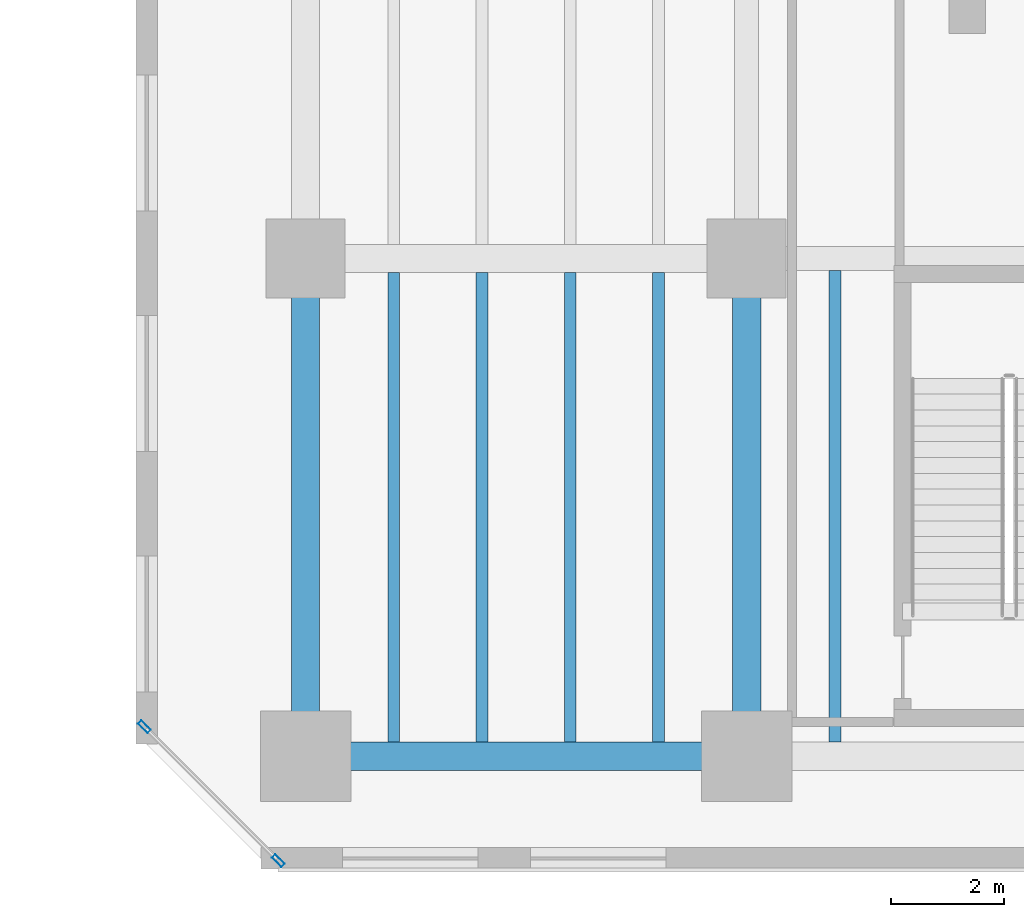
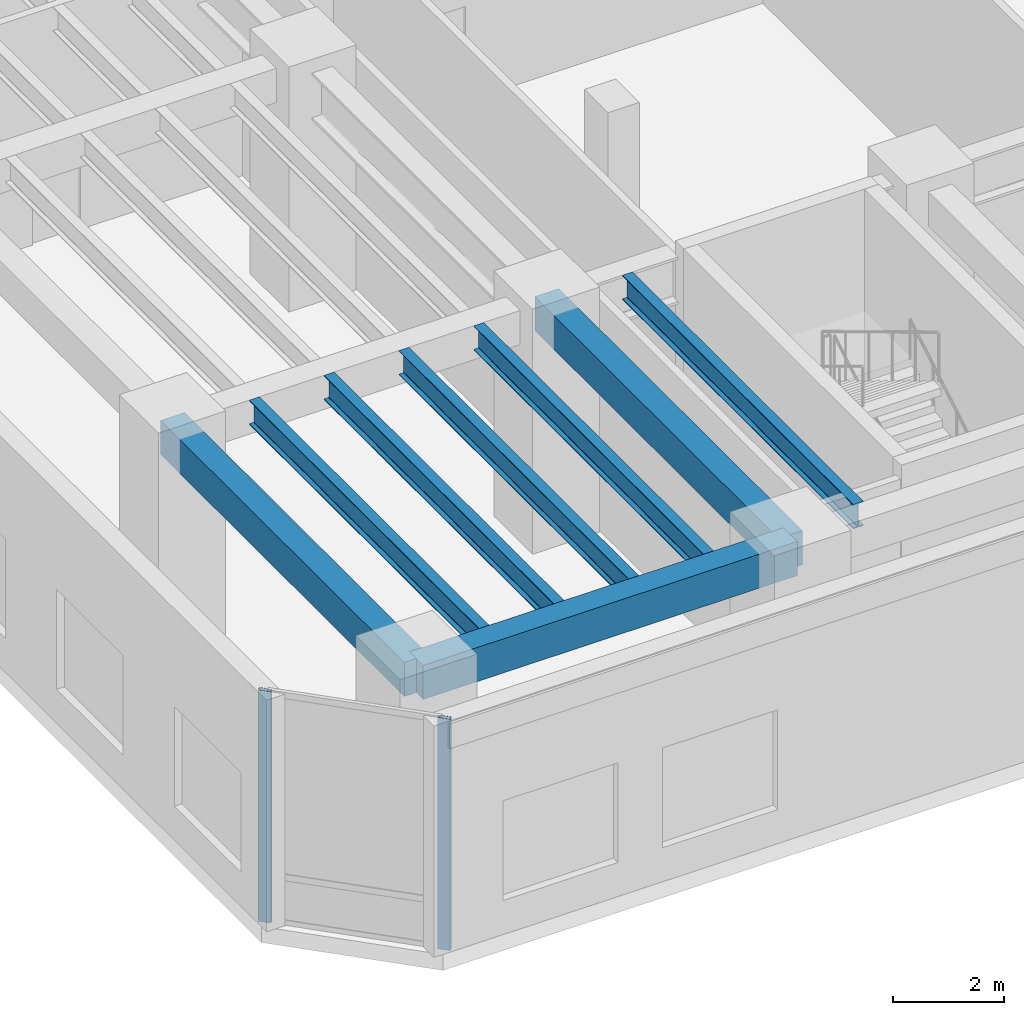
# One storey, part 2 of 21: 8 beams, 2 members, 1 element without a shape of its own.
"""IFC4 building model written with IfcOpenShell, lengths in metres."""

from ifc_helpers import new_model, si_unit, direction, frame, origin, origin_2d, place, context, subcontext, project, spatial, rectangle, hollow_rectangle, i_section, extrude, material, layer, layer_set, material_profile, profile_set, type_object, element, aggregate, save


model = new_model("IFC4")

# Units and contexts
model_context = context("Model", 3, precision=1e-05, world=origin(), true_north=direction((0.0, 1.0)))
body_context = subcontext(model_context, "Body", "Model", "MODEL_VIEW")
ifc_project = project(units=[si_unit("LENGTHUNIT", "METRE"), si_unit("AREAUNIT", "SQUARE_METRE"), si_unit("VOLUMEUNIT", "CUBIC_METRE"), si_unit("PLANEANGLEUNIT", "RADIAN"), si_unit("MASSUNIT", "GRAM", prefix="KILO")], contexts=[model_context])

# Site, building, storey
site_placement = place(None, origin())
site = spatial("IfcSite", under=ifc_project, at=site_placement, CompositionType="ELEMENT")
building_placement = place(site_placement, origin())
building = spatial("IfcBuilding", under=site, at=building_placement, Name="Kestravale Grand Hotel", CompositionType="ELEMENT")
storey_placement = place(building_placement, frame((0.0, 0.0, 10.39990234375)))
storey = spatial("IfcBuildingStorey", under=building, at=storey_placement, Name="L02", CompositionType="ELEMENT", Elevation=10.39990234375)

# Beams
ifc_material_1 = material(Name="Steel ASTM A992 Grade 50", Category="steel")
ifc_material_profile_1 = material_profile(ifc_material_1, i_section(OverallWidth=0.2099609375, OverallDepth=0.535888671875, WebThickness=0.010986328125, FlangeThickness=0.017333984375, FilletRadius=0.017578125, at=origin_2d()))
ifc_profile_set_1 = profile_set([ifc_material_profile_1], Name="Steel ASTM A992 Grade 50")
beam_type_1 = type_object("IfcBeamType", Name="B-FLR-JST21", PredefinedType="JOIST", material=ifc_profile_set_1)
for number, where, z_axis, x_axis, name in (
    (1, (1.56005859375, 2.64990234375, 4.83203125), (0.0, 1.0, 0.0), (-1.0, 0.0, 0.0), "L02 floor joist 1-2/B-C #1"),
    (2, (3.1201171875, 2.64990234375, 4.83203125), (0.0, 1.0, 0.0), (-1.0, 0.0, 0.0), "L02 floor joist 1-2/B-C #2"),
    (3, (4.679931640625, 2.64990234375, 4.83203125), (0.0, 1.0, 0.0), (-1.0, 0.0, 0.0), "L02 floor joist 1-2/B-C #3"),
    (4, (6.239990234375, 2.64990234375, 4.83203125), (0.0, 1.0, 0.0), (-1.0, 0.0, 0.0), "L02 floor joist 1-2/B-C #4"),
):
    element("IfcBeam", number, at=place(storey_placement, frame(where, z_axis=z_axis, x_axis=x_axis)), inside=storey, type_object=beam_type_1, Name=name, PredefinedType="JOIST", context=body_context, shape_type="SweptSolid", body=[
        extrude(i_section(OverallWidth=0.2099609375, OverallDepth=0.535888671875, WebThickness=0.010986328125, FlangeThickness=0.017333984375, FilletRadius=0.017578125, at=origin_2d()), origin(), (0.0, 0.0, 1.0), 8.300048828125),
    ])
beam_1_placement = place(storey_placement, frame((9.360107421875, 2.64990234375, 4.83203125), z_axis=(0.0, 1.0, 0.0), x_axis=(-1.0, 0.0, 0.0)))
element("IfcBeam", 5, at=beam_1_placement, inside=storey, type_object=beam_type_1, Name="L02 floor joist 2-3/B-C #1", PredefinedType="JOIST", context=body_context, shape_type="SweptSolid", body=[
    extrude(i_section(OverallWidth=0.2099609375, OverallDepth=0.535888671875, WebThickness=0.010986328125, FlangeThickness=0.017333984375, FilletRadius=0.017578125, at=origin_2d()), origin(), (0.0, 0.0, 1.0), 8.336669921875),
])
ifc_material_2 = material(Name="Concrete f'c 45 MPa", Category="concrete")
ifc_material_profile_2 = material_profile(ifc_material_2, rectangle(XDim=0.5, YDim=0.75, at=origin_2d()))
ifc_profile_set_2 = profile_set([ifc_material_profile_2], Name="Concrete f'c 45 MPa")
beam_type_2 = type_object("IfcBeamType", Name="B-FLR-RC750", PredefinedType="SPANDREL", material=ifc_profile_set_2)
beam_2_placement = place(storey_placement, frame((0.0, 2.39990234375, 4.72509765625), z_axis=(1.0, 0.0, 0.0), x_axis=(0.0, 1.0, 0.0)))
element("IfcBeam", 6, at=beam_2_placement, inside=storey, type_object=beam_type_2, Name="L02 spandrel B:1-2", PredefinedType="SPANDREL", context=body_context, shape_type="SweptSolid", body=[
    extrude(rectangle(XDim=0.5, YDim=0.75, at=origin_2d()), origin(), (0.0, 0.0, 1.0), 7.800048828125),
])
for number, where, z_axis, x_axis, name in (
    (7, (0.0, 2.39990234375, 4.72509765625), (0.0, 1.0, 0.0), (-1.0, 0.0, 0.0), "L02 spandrel 1:B-C"),
    (8, (7.800048828125, 2.39990234375, 4.72509765625), (0.0, 1.0, 0.0), (-1.0, 0.0, 0.0), "L02 spandrel 2:B-C"),
):
    element("IfcBeam", number, at=place(storey_placement, frame(where, z_axis=z_axis, x_axis=x_axis)), inside=storey, type_object=beam_type_2, Name=name, PredefinedType="SPANDREL", context=body_context, shape_type="SweptSolid", body=[
        extrude(rectangle(XDim=0.5, YDim=0.75, at=origin_2d()), origin(), (0.0, 0.0, 1.0), 8.800048828125),
    ])

# Curtain wall, members
ifc_material_3 = material(Name="Thermally broken champagne-bronze aluminium and low-E glazing", Category="aluminium")
ifc_layer = layer(ifc_material_3, 0.239990234375)
ifc_layer_set = layer_set([ifc_layer], Name="CW-POD")
curtain_wall_type = type_object("IfcCurtainWallType", Name="CW-POD", PredefinedType="NOTDEFINED", material=ifc_layer_set)
curtain_wall_placement = place(storey_placement, origin())
curtain_wall = element("IfcCurtainWall", 9, at=curtain_wall_placement, inside=storey, type_object=curtain_wall_type, Name="L02 unitised curtain wall 8", PredefinedType="NOTDEFINED")
ifc_material_4 = material(Name="Aluminium 6063-T6 anodised", Category="aluminium")
ifc_material_profile_3 = material_profile(ifc_material_4, hollow_rectangle(XDim=0.0849609375, YDim=0.239990234375, WallThickness=0.00439453125, at=origin_2d()))
ifc_profile_set_3 = profile_set([ifc_material_profile_3], Name="Aluminium 6063-T6 anodised")
member_type = type_object("IfcMemberType", Name="CW-MUL-240", PredefinedType="MULLION", material=ifc_profile_set_3)
member_1_placement = place(storey_placement, frame((-2.849853515625, 2.91845703125, 0.0), z_axis=(0.0, 0.0, 1.0), x_axis=(0.707106781187, 0.707106781187, 0.0)))
member_1 = element("IfcMember", 10, at=member_1_placement, type_object=member_type, Name="CW-POD mullion 1", PredefinedType="MULLION", context=body_context, shape_type="SweptSolid", body=[
    extrude(hollow_rectangle(XDim=0.0849609375, YDim=0.239990234375, WallThickness=0.00439453125, at=origin_2d()), origin(), (0.0, 0.0, 1.0), 5.10009765625),
])
member_2_placement = place(storey_placement, frame((-0.4814453125, 0.55029296875, 0.0), z_axis=(0.0, 0.0, 1.0), x_axis=(0.707106781187, 0.707106781187, 0.0)))
member_2 = element("IfcMember", 11, at=member_2_placement, type_object=member_type, Name="CW-POD mullion 2", PredefinedType="MULLION", context=body_context, shape_type="SweptSolid", body=[
    extrude(hollow_rectangle(XDim=0.0849609375, YDim=0.239990234375, WallThickness=0.00439453125, at=origin_2d()), origin(), (0.0, 0.0, 1.0), 5.10009765625),
])
aggregate(curtain_wall, [member_1, member_2])

save(model, "model.ifc")
